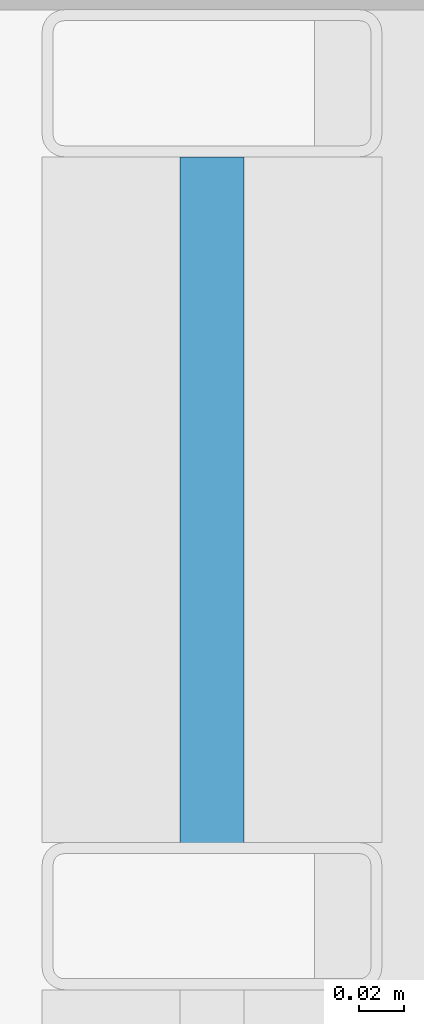
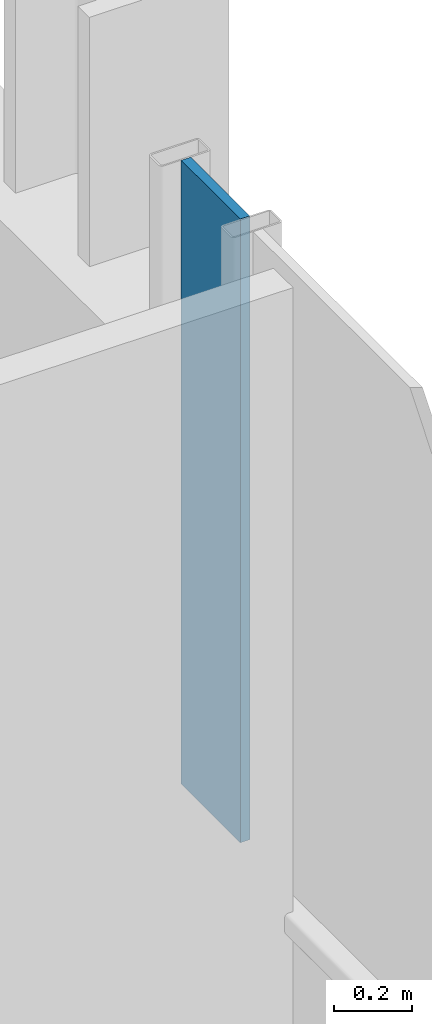
# One storey, part 28 of 41: 1 plate, 1 element without a shape of its own.
"""IFC4 building model written with IfcOpenShell, lengths in metres."""

from ifc_helpers import new_model, si_unit, direction, frame, origin, origin_2d, place, context, subcontext, project, spatial, rectangle, extrude, material, layer, layer_set, type_object, element, aggregate, save


model = new_model("IFC4")

# Units and contexts
model_context = context("Model", 3, precision=1e-05, world=origin(), true_north=direction((0.0, 1.0)))
body_context = subcontext(model_context, "Body", "Model", "MODEL_VIEW")
ifc_project = project(units=[si_unit("LENGTHUNIT", "METRE"), si_unit("AREAUNIT", "SQUARE_METRE"), si_unit("VOLUMEUNIT", "CUBIC_METRE"), si_unit("PLANEANGLEUNIT", "RADIAN"), si_unit("MASSUNIT", "GRAM", prefix="KILO")], contexts=[model_context])

# Site, building, storey
site_placement = place(None, origin())
site = spatial("IfcSite", under=ifc_project, at=site_placement, CompositionType="ELEMENT")
building_placement = place(site_placement, origin())
building = spatial("IfcBuilding", under=site, at=building_placement, Name="Brevholm Reach", CompositionType="ELEMENT")
storey_placement = place(building_placement, frame((0.0, 0.0, 100.39990234375)))
storey = spatial("IfcBuildingStorey", under=building, at=storey_placement, Name="L29", CompositionType="ELEMENT", Elevation=100.39990234375)

# Curtain wall, plate
ifc_material_1 = material(Name="Dark Anodised Aluminium 6063-T6 and Solar-Control Glass", Category="aluminium")
ifc_layer_1 = layer(ifc_material_1, 0.14990234375)
ifc_layer_set_1 = layer_set([ifc_layer_1], Name="Dark Anodised Aluminium 6063-T6 and Solar-Control Glass")
curtain_wall_type = type_object("IfcCurtainWallType", Name="CW-01", PredefinedType="NOTDEFINED", material=ifc_layer_set_1)
curtain_wall_placement = place(storey_placement, origin())
curtain_wall = element("IfcCurtainWall", 1, at=curtain_wall_placement, inside=storey, type_object=curtain_wall_type, Name="L29 Curtain Wall CW-01", PredefinedType="NOTDEFINED")
ifc_material_2 = material(Name="Dark Solar-Control Double-Glazed IGU Glass", Category="glass")
ifc_layer_2 = layer(ifc_material_2, 0.028076171875)
ifc_layer_set_2 = layer_set([ifc_layer_2], Name="Dark Solar-Control Double-Glazed IGU Glass")
plate_type = type_object("IfcPlateType", Name="CWP-GLZ-28", PredefinedType="CURTAIN_PANEL", material=ifc_layer_set_2)
plate_placement = place(storey_placement, frame((59.85009765625, 22.733642578125, 0.9326171875), z_axis=(0.0, 0.0, 1.0), x_axis=(0.0, 1.0, 0.0)))
plate = element("IfcPlate", 2, at=plate_placement, type_object=plate_type, Name="CP-01 Glazing Panel 5.2", PredefinedType="CURTAIN_PANEL", context=body_context, shape_type="SweptSolid", body=[
    extrude(rectangle(XDim=0.302490234375, YDim=0.028076171875, at=origin_2d()), origin(), (0.0, 0.0, 1.0), 1.947509765625),
])
aggregate(curtain_wall, [plate])

save(model, "model.ifc")
